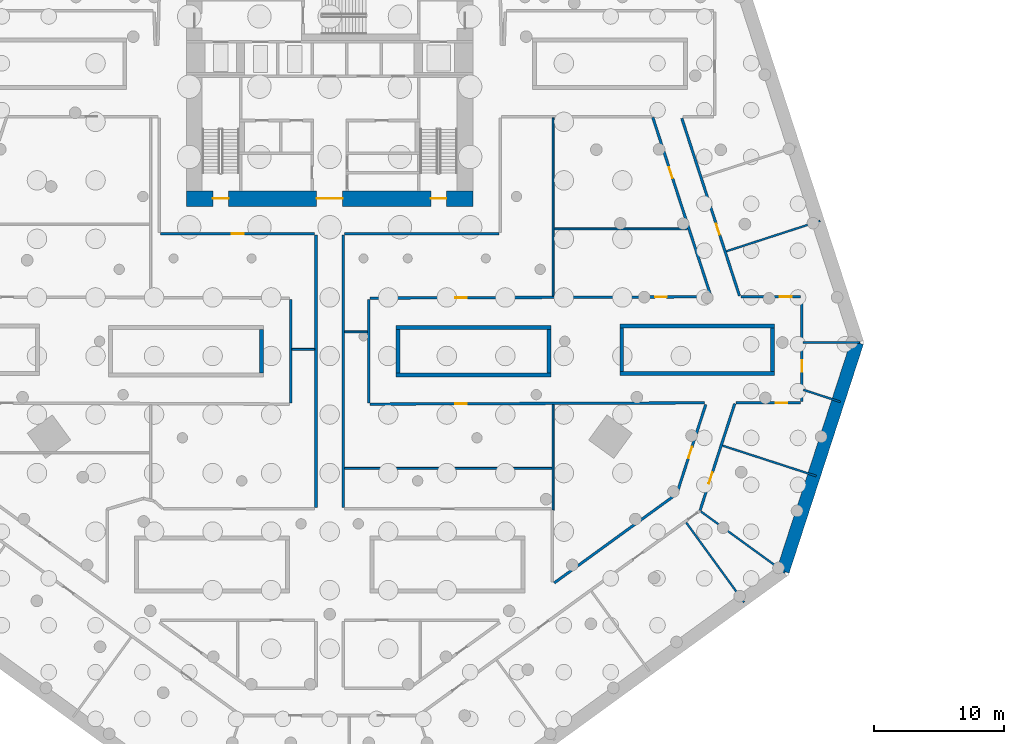
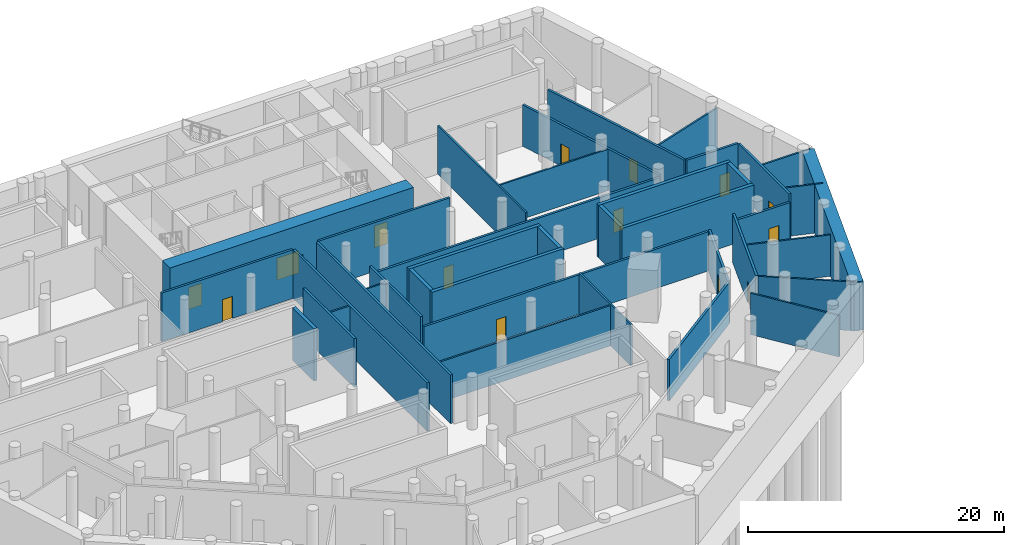
# One storey, part 7 of 12: 39 walls, 14 doors, 14 openings.
"""IFC4 building model written with IfcOpenShell, lengths in metres."""

from ifc_helpers import new_model, si_unit, direction, frame, frame_2d, origin, place, context, subcontext, project, spatial, rectangle, extrude, material, layer, layer_set, type_object, element, fill, save


model = new_model("IFC4")

# Units and contexts
model_context = context("Model", 3, precision=1e-05, world=origin(), true_north=direction((0.0, 1.0)))
body_context = subcontext(model_context, "Body", "Model", "MODEL_VIEW")
ifc_project = project(units=[si_unit("LENGTHUNIT", "METRE"), si_unit("AREAUNIT", "SQUARE_METRE"), si_unit("VOLUMEUNIT", "CUBIC_METRE"), si_unit("PLANEANGLEUNIT", "RADIAN"), si_unit("MASSUNIT", "GRAM", prefix="KILO")], contexts=[model_context])

# Site, building, storey
site_placement = place(None, origin())
site = spatial("IfcSite", under=ifc_project, at=site_placement, CompositionType="ELEMENT")
building_placement = place(site_placement, origin())
building = spatial("IfcBuilding", under=site, at=building_placement, Name="White Candle Pilgrim Tower", CompositionType="ELEMENT")
storey_placement = place(building_placement, frame((0.0, 0.0, -10.0)))
storey = spatial("IfcBuildingStorey", under=building, at=storey_placement, Name="B2", CompositionType="ELEMENT", Elevation=-10.0)

# Wall, opening, door
ifc_material_1 = material(Name="Gypsum board on steel studs", Category="steel")
ifc_layer_1 = layer(ifc_material_1, 0.199951171875)
ifc_layer_set_1 = layer_set([ifc_layer_1], Name="Corridor wall 200 mm EI 45")
wall_type_1 = type_object("IfcWallType", Name="Corridor wall 200 mm EI 45", PredefinedType="PARTITIONING", material=ifc_layer_set_1)
wall_1_placement = place(storey_placement, frame((97.070068359375, 77.76904296875, 0.0), z_axis=(0.0, 0.0, 1.0), x_axis=(0.309012990643, -0.951057817177, 0.0)))
wall_1 = element("IfcWall", 1, at=wall_1_placement, inside=storey, type_object=wall_type_1, Name="WL-B2-P016", PredefinedType="PARTITIONING", context=body_context, shape_type="SweptSolid", body=[
    extrude(rectangle(XDim=14.352294921875, YDim=0.199951171875, at=frame_2d((7.17626953125, 0.0))), origin(), (0.0, 0.0, 1.0), 4.64990234375),
])
opening_1_placement = place(wall_1_placement, frame((8.511474609375, 0.0, 0.0)))
opening_1 = element("IfcOpeningElement", 2, at=opening_1_placement, cuts=wall_1, Name="Opening B2-120", PredefinedType="OPENING", context=body_context, shape_type="SweptSolid", body=[
    extrude(rectangle(XDim=0.89990234375, YDim=2.10009765625, at=frame_2d((0.449951171875, 1.050048828125))), frame((0.0, 0.10986328125, 0.0), z_axis=(0.0, -1.0, 0.0), x_axis=(1.0, 0.0, 0.0)), (0.0, 0.0, 1.0), 0.219970703125),
])
ifc_material_2 = material(Name="Steel door leaf", Category="steel")
door_type_1 = type_object("IfcDoorType", Name="Fire door 900 x 2100 EI 30", OperationType="NOTDEFINED", PredefinedType="DOOR", material=ifc_material_2)
door_1_placement = place(opening_1_placement, origin())
door_1 = element("IfcDoor", 3, at=door_1_placement, inside=storey, type_object=door_type_1, Name="Door B2-120", OperationType="SINGLE_SWING_RIGHT", OverallHeight=2.10009765625, OverallWidth=0.89990234375, PredefinedType="DOOR", context=body_context, shape_type="SweptSolid", body=[
    extrude(rectangle(XDim=0.89990234375, YDim=2.10009765625, at=frame_2d((0.449951171875, 1.050048828125))), frame((0.0, 0.02490234375, 0.0), z_axis=(0.0, -1.0, 0.0), x_axis=(1.0, 0.0, 0.0)), (0.0, 0.0, 1.0), 0.050048828125),
])
fill(opening_1, door_1)

wall_2_placement = place(storey_placement, frame((101.600341796875, 64.050048828125, 0.0), z_axis=(0.0, 0.0, 1.0), x_axis=(1.0, 0.0, 0.0)))
wall_2 = element("IfcWall", 4, at=wall_2_placement, inside=storey, type_object=wall_type_1, Name="WL-B2-P017", PredefinedType="PARTITIONING", context=body_context, shape_type="SweptSolid", body=[
    extrude(rectangle(XDim=4.599609375, YDim=0.199951171875, at=frame_2d((2.2998046875, 0.0))), origin(), (0.0, 0.0, 1.0), 4.64990234375),
])
opening_2_placement = place(wall_2_placement, frame((3.013427734375, 0.0, 0.0)))
opening_2 = element("IfcOpeningElement", 5, at=opening_2_placement, cuts=wall_2, Name="Opening B2-119", PredefinedType="OPENING", context=body_context, shape_type="SweptSolid", body=[
    extrude(rectangle(XDim=0.89990234375, YDim=2.10009765625, at=frame_2d((0.449951171875, 1.050048828125))), frame((0.0, 0.10986328125, 0.0), z_axis=(0.0, -1.0, 0.0), x_axis=(1.0, 0.0, 0.0)), (0.0, 0.0, 1.0), 0.219970703125),
])
door_2_placement = place(opening_2_placement, origin())
door_2 = element("IfcDoor", 6, at=door_2_placement, inside=storey, type_object=door_type_1, Name="Door B2-119", OperationType="SINGLE_SWING_LEFT", OverallHeight=2.10009765625, OverallWidth=0.89990234375, PredefinedType="DOOR", context=body_context, shape_type="SweptSolid", body=[
    extrude(rectangle(XDim=0.89990234375, YDim=2.10009765625, at=frame_2d((0.449951171875, 1.050048828125))), frame((0.0, 0.02490234375, 0.0), z_axis=(0.0, -1.0, 0.0), x_axis=(1.0, 0.0, 0.0)), (0.0, 0.0, 1.0), 0.050048828125),
])
fill(opening_2, door_2)

wall_3_placement = place(storey_placement, frame((106.300048828125, 63.949951171875, 0.0), z_axis=(0.0, 0.0, 1.0), x_axis=(0.0, -1.0, 0.0)))
wall_3 = element("IfcWall", 7, at=wall_3_placement, inside=storey, type_object=wall_type_1, Name="WL-B2-P018", PredefinedType="PARTITIONING", context=body_context, shape_type="SweptSolid", body=[
    extrude(rectangle(XDim=7.949951171875, YDim=0.199951171875, at=frame_2d((3.97509765625, 0.0))), origin(), (0.0, 0.0, 1.0), 4.64990234375),
])
opening_3_placement = place(wall_3_placement, frame((4.761962890625, 0.0, 0.0)))
opening_3 = element("IfcOpeningElement", 8, at=opening_3_placement, cuts=wall_3, Name="Opening B2-118", PredefinedType="OPENING", context=body_context, shape_type="SweptSolid", body=[
    extrude(rectangle(XDim=0.89990234375, YDim=2.10009765625, at=frame_2d((0.449951171875, 1.050048828125))), frame((0.0, 0.10986328125, 0.0), z_axis=(0.0, -1.0, 0.0), x_axis=(1.0, 0.0, 0.0)), (0.0, 0.0, 1.0), 0.219970703125),
])
door_3_placement = place(opening_3_placement, origin())
door_3 = element("IfcDoor", 9, at=door_3_placement, inside=storey, type_object=door_type_1, Name="Door B2-118", OperationType="SINGLE_SWING_RIGHT", OverallHeight=2.10009765625, OverallWidth=0.89990234375, PredefinedType="DOOR", context=body_context, shape_type="SweptSolid", body=[
    extrude(rectangle(XDim=0.89990234375, YDim=2.10009765625, at=frame_2d((0.449951171875, 1.050048828125))), frame((0.0, 0.02490234375, 0.0), z_axis=(0.0, -1.0, 0.0), x_axis=(1.0, 0.0, 0.0)), (0.0, 0.0, 1.0), 0.050048828125),
])
fill(opening_3, door_3)

wall_4_placement = place(storey_placement, frame((106.199951171875, 55.89990234375, 0.0), z_axis=(0.0, 0.0, 1.0), x_axis=(-1.0, 0.0, 0.0)))
wall_4 = element("IfcWall", 10, at=wall_4_placement, inside=storey, type_object=wall_type_1, Name="WL-B2-P019", PredefinedType="PARTITIONING", context=body_context, shape_type="SweptSolid", body=[
    extrude(rectangle(XDim=4.96630859375, YDim=0.199951171875, at=frame_2d((2.483154296875, 0.0))), origin(), (0.0, 0.0, 1.0), 3.949951171875),
])
opening_4_placement = place(wall_4_placement, frame((1.01953125, 0.0, 0.0)))
opening_4 = element("IfcOpeningElement", 11, at=opening_4_placement, cuts=wall_4, Name="Opening B2-117", PredefinedType="OPENING", context=body_context, shape_type="SweptSolid", body=[
    extrude(rectangle(XDim=0.89990234375, YDim=2.10009765625, at=frame_2d((0.449951171875, 1.050048828125))), frame((0.0, 0.10986328125, 0.0), z_axis=(0.0, -1.0, 0.0), x_axis=(1.0, 0.0, 0.0)), (0.0, 0.0, 1.0), 0.219970703125),
])
door_4_placement = place(opening_4_placement, origin())
door_4 = element("IfcDoor", 12, at=door_4_placement, inside=storey, type_object=door_type_1, Name="Door B2-117", OperationType="SINGLE_SWING_LEFT", OverallHeight=2.10009765625, OverallWidth=0.89990234375, PredefinedType="DOOR", context=body_context, shape_type="SweptSolid", body=[
    extrude(rectangle(XDim=0.89990234375, YDim=2.10009765625, at=frame_2d((0.449951171875, 1.050048828125))), frame((0.0, 0.02490234375, 0.0), z_axis=(0.0, -1.0, 0.0), x_axis=(1.0, 0.0, 0.0)), (0.0, 0.0, 1.0), 0.050048828125),
])
fill(opening_4, door_4)

wall_5_placement = place(storey_placement, frame((101.138671875, 55.830810546875, 0.0), z_axis=(0.0, 0.0, 1.0), x_axis=(-0.309050865735, -0.951045510156, 0.0)))
wall_5 = element("IfcWall", 13, at=wall_5_placement, inside=storey, type_object=wall_type_1, Name="WL-B2-P020", PredefinedType="PARTITIONING", context=body_context, shape_type="SweptSolid", body=[
    extrude(rectangle(XDim=8.6240234375, YDim=0.199951171875, at=frame_2d((4.31201171875, 0.0))), origin(), (0.0, 0.0, 1.0), 4.64990234375),
])
opening_5_placement = place(wall_5_placement, frame((5.554931640625, 0.0, 0.0)))
opening_5 = element("IfcOpeningElement", 14, at=opening_5_placement, cuts=wall_5, Name="Opening B2-116", PredefinedType="OPENING", context=body_context, shape_type="SweptSolid", body=[
    extrude(rectangle(XDim=0.89990234375, YDim=2.10009765625, at=frame_2d((0.449951171875, 1.050048828125))), frame((0.0, 0.10986328125, 0.0), z_axis=(0.0, -1.0, 0.0), x_axis=(1.0, 0.0, 0.0)), (0.0, 0.0, 1.0), 0.219970703125),
])
door_5_placement = place(opening_5_placement, origin())
door_5 = element("IfcDoor", 15, at=door_5_placement, inside=storey, type_object=door_type_1, Name="Door B2-116", OperationType="SINGLE_SWING_RIGHT", OverallHeight=2.10009765625, OverallWidth=0.89990234375, PredefinedType="DOOR", context=body_context, shape_type="SweptSolid", body=[
    extrude(rectangle(XDim=0.89990234375, YDim=2.10009765625, at=frame_2d((0.449951171875, 1.050048828125))), frame((0.0, 0.02490234375, 0.0), z_axis=(0.0, -1.0, 0.0), x_axis=(1.0, 0.0, 0.0)), (0.0, 0.0, 1.0), 0.050048828125),
])
fill(opening_5, door_5)

wall_6_placement = place(storey_placement, frame((96.687255859375, 48.9267578125, 0.0), z_axis=(0.0, 0.0, 1.0), x_axis=(0.309000124439, 0.951061997504, 0.0)))
wall_6 = element("IfcWall", 16, at=wall_6_placement, inside=storey, type_object=wall_type_1, Name="WL-B2-P024", PredefinedType="PARTITIONING", context=body_context, shape_type="SweptSolid", body=[
    extrude(rectangle(XDim=7.19384765625, YDim=0.199951171875, at=frame_2d((3.596923828125, 0.0))), origin(), (0.0, 0.0, 1.0), 3.949951171875),
])
opening_6_placement = place(wall_6_placement, frame((2.8720703125, 0.0, 0.0)))
opening_6 = element("IfcOpeningElement", 17, at=opening_6_placement, cuts=wall_6, Name="Opening B2-136", PredefinedType="OPENING", context=body_context, shape_type="SweptSolid", body=[
    extrude(rectangle(XDim=0.89990234375, YDim=2.10009765625, at=frame_2d((0.449951171875, 1.050048828125))), frame((0.0, 0.10986328125, 0.0), z_axis=(0.0, -1.0, 0.0), x_axis=(1.0, 0.0, 0.0)), (0.0, 0.0, 1.0), 0.219970703125),
])
door_6_placement = place(opening_6_placement, origin())
door_6 = element("IfcDoor", 18, at=door_6_placement, inside=storey, type_object=door_type_1, Name="Door B2-136", OperationType="SINGLE_SWING_RIGHT", OverallHeight=2.10009765625, OverallWidth=0.89990234375, PredefinedType="DOOR", context=body_context, shape_type="SweptSolid", body=[
    extrude(rectangle(XDim=0.89990234375, YDim=2.10009765625, at=frame_2d((0.449951171875, 1.050048828125))), frame((0.0, 0.02490234375, 0.0), z_axis=(0.0, -1.0, 0.0), x_axis=(1.0, 0.0, 0.0)), (0.0, 0.0, 1.0), 0.050048828125),
])
fill(opening_6, door_6)

wall_7_placement = place(storey_placement, frame((98.814697265625, 55.8994140625, 0.0), z_axis=(0.0, 0.0, 1.0), x_axis=(-0.999992570732, -0.003854670107, 0.0)))
wall_7 = element("IfcWall", 19, at=wall_7_placement, inside=storey, type_object=wall_type_1, Name="WL-B2-P025", PredefinedType="PARTITIONING", context=body_context, shape_type="SweptSolid", body=[
    extrude(rectangle(XDim=25.714599609375, YDim=0.199951171875, at=frame_2d((12.857421875, 0.0))), origin(), (0.0, 0.0, 1.0), 3.75),
])
opening_7_placement = place(wall_7_placement, frame((18.27783203125, 0.0, 0.0)))
opening_7 = element("IfcOpeningElement", 20, at=opening_7_placement, cuts=wall_7, Name="Opening B2-128", PredefinedType="OPENING", context=body_context, shape_type="SweptSolid", body=[
    extrude(rectangle(XDim=0.89990234375, YDim=2.10009765625, at=frame_2d((0.449951171875, 1.050048828125))), frame((0.0, 0.10986328125, 0.0), z_axis=(0.0, -1.0, 0.0), x_axis=(1.0, 0.0, 0.0)), (0.0, 0.0, 1.0), 0.219970703125),
])
door_7_placement = place(opening_7_placement, origin())
door_7 = element("IfcDoor", 21, at=door_7_placement, inside=storey, type_object=door_type_1, Name="Door B2-128", OperationType="SINGLE_SWING_RIGHT", OverallHeight=2.10009765625, OverallWidth=0.89990234375, PredefinedType="DOOR", context=body_context, shape_type="SweptSolid", body=[
    extrude(rectangle(XDim=0.89990234375, YDim=2.10009765625, at=frame_2d((0.449951171875, 1.050048828125))), frame((0.0, 0.02490234375, 0.0), z_axis=(0.0, -1.0, 0.0), x_axis=(1.0, 0.0, 0.0)), (0.0, 0.0, 1.0), 0.050048828125),
])
fill(opening_7, door_7)

# Wall
wall_8_placement = place(storey_placement, frame((73.0, 55.900390625, 0.0), z_axis=(0.0, 0.0, 1.0), x_axis=(0.0, 1.0, 0.0)))
element("IfcWall", 22, at=wall_8_placement, inside=storey, type_object=wall_type_1, Name="WL-B2-P026", PredefinedType="PARTITIONING", context=body_context, shape_type="SweptSolid", body=[
    extrude(rectangle(XDim=7.949951171875, YDim=0.199951171875, at=frame_2d((3.97509765625, 0.0))), origin(), (0.0, 0.0, 1.0), 4.64990234375),
])

# Wall, openings, doors
wall_9_placement = place(storey_placement, frame((73.099609375, 63.950439453125, 0.0), z_axis=(0.0, 0.0, 1.0), x_axis=(0.999992779253, 0.003800189715, 0.0)))
wall_9 = element("IfcWall", 23, at=wall_9_placement, inside=storey, type_object=wall_type_1, Name="WL-B2-P027", PredefinedType="PARTITIONING", context=body_context, shape_type="SweptSolid", body=[
    extrude(rectangle(XDim=26.083251953125, YDim=0.199951171875, at=frame_2d((13.04150390625, 0.0))), origin(), (0.0, 0.0, 1.0), 3.85009765625),
])
opening_8_placement = place(wall_9_placement, frame((6.53759765625, 0.0, 0.0)))
opening_8 = element("IfcOpeningElement", 24, at=opening_8_placement, cuts=wall_9, Name="Opening B2-129", PredefinedType="OPENING", context=body_context, shape_type="SweptSolid", body=[
    extrude(rectangle(XDim=0.89990234375, YDim=2.10009765625, at=frame_2d((0.449951171875, 1.050048828125))), frame((0.0, 0.10986328125, 0.0), z_axis=(0.0, -1.0, 0.0), x_axis=(1.0, 0.0, 0.0)), (0.0, 0.0, 1.0), 0.219970703125),
])
opening_9_placement = place(wall_9_placement, frame((21.910400390625, 0.0, 0.0)))
opening_9 = element("IfcOpeningElement", 25, at=opening_9_placement, cuts=wall_9, Name="Opening B2-130", PredefinedType="OPENING", context=body_context, shape_type="SweptSolid", body=[
    extrude(rectangle(XDim=0.89990234375, YDim=2.10009765625, at=frame_2d((0.449951171875, 1.050048828125))), frame((0.0, 0.10986328125, 0.0), z_axis=(0.0, -1.0, 0.0), x_axis=(1.0, 0.0, 0.0)), (0.0, 0.0, 1.0), 0.219970703125),
])
door_8_placement = place(opening_8_placement, origin())
door_8 = element("IfcDoor", 26, at=door_8_placement, inside=storey, type_object=door_type_1, Name="Door B2-129", OperationType="SINGLE_SWING_LEFT", OverallHeight=2.10009765625, OverallWidth=0.89990234375, PredefinedType="DOOR", context=body_context, shape_type="SweptSolid", body=[
    extrude(rectangle(XDim=0.89990234375, YDim=2.10009765625, at=frame_2d((0.449951171875, 1.050048828125))), frame((0.0, 0.02490234375, 0.0), z_axis=(0.0, -1.0, 0.0), x_axis=(1.0, 0.0, 0.0)), (0.0, 0.0, 1.0), 0.050048828125),
])
fill(opening_8, door_8)
door_9_placement = place(opening_9_placement, origin())
door_9 = element("IfcDoor", 27, at=door_9_placement, inside=storey, type_object=door_type_1, Name="Door B2-130", OperationType="SINGLE_SWING_RIGHT", OverallHeight=2.10009765625, OverallWidth=0.89990234375, PredefinedType="DOOR", context=body_context, shape_type="SweptSolid", body=[
    extrude(rectangle(XDim=0.89990234375, YDim=2.10009765625, at=frame_2d((0.449951171875, 1.050048828125))), frame((0.0, 0.02490234375, 0.0), z_axis=(0.0, -1.0, 0.0), x_axis=(1.0, 0.0, 0.0)), (0.0, 0.0, 1.0), 0.050048828125),
])
fill(opening_9, door_9)

# Wall, opening, door
wall_10_placement = place(storey_placement, frame((99.277099609375, 64.180419921875, 0.0), z_axis=(0.0, 0.0, 1.0), x_axis=(-0.309018378218, 0.951056066656, 0.0)))
wall_10 = element("IfcWall", 28, at=wall_10_placement, inside=storey, type_object=wall_type_1, Name="WL-B2-P028", PredefinedType="PARTITIONING", context=body_context, shape_type="SweptSolid", body=[
    extrude(rectangle(XDim=14.352783203125, YDim=0.199951171875, at=frame_2d((7.17626953125, 0.0))), origin(), (0.0, 0.0, 1.0), 3.949951171875),
])
opening_10_placement = place(wall_10_placement, frame((9.4404296875, 0.0, 0.0)))
opening_10 = element("IfcOpeningElement", 29, at=opening_10_placement, cuts=wall_10, Name="Opening B2-131", PredefinedType="OPENING", context=body_context, shape_type="SweptSolid", body=[
    extrude(rectangle(XDim=0.89990234375, YDim=2.10009765625, at=frame_2d((0.449951171875, 1.050048828125))), frame((0.0, 0.10986328125, 0.0), z_axis=(0.0, -1.0, 0.0), x_axis=(1.0, 0.0, 0.0)), (0.0, 0.0, 1.0), 0.219970703125),
])
door_10_placement = place(opening_10_placement, origin())
door_10 = element("IfcDoor", 30, at=door_10_placement, inside=storey, type_object=door_type_1, Name="Door B2-131", OperationType="SINGLE_SWING_LEFT", OverallHeight=2.10009765625, OverallWidth=0.89990234375, PredefinedType="DOOR", context=body_context, shape_type="SweptSolid", body=[
    extrude(rectangle(XDim=0.89990234375, YDim=2.10009765625, at=frame_2d((0.449951171875, 1.050048828125))), frame((0.0, 0.02490234375, 0.0), z_axis=(0.0, -1.0, 0.0), x_axis=(1.0, 0.0, 0.0)), (0.0, 0.0, 1.0), 0.050048828125),
])
fill(opening_10, door_10)

# Walls
wall_11_placement = place(storey_placement, frame((83.0, 68.89990234375, 0.0), z_axis=(0.0, 0.0, 1.0), x_axis=(-1.0, 0.0, 0.0)))
element("IfcWall", 31, at=wall_11_placement, inside=storey, type_object=wall_type_1, Name="WL-B2-P031", PredefinedType="PARTITIONING", context=body_context, shape_type="SweptSolid", body=[
    extrude(rectangle(XDim=11.85009765625, YDim=0.199951171875, at=frame_2d((5.925048828125, 0.0))), origin(), (0.0, 0.0, 1.0), 4.64990234375),
])
wall_12_placement = place(storey_placement, frame((71.050048828125, 68.800048828125, 0.0), z_axis=(0.0, 0.0, 1.0), x_axis=(0.0, -1.0, 0.0)))
element("IfcWall", 32, at=wall_12_placement, inside=storey, type_object=wall_type_1, Name="WL-B2-P032", PredefinedType="PARTITIONING", context=body_context, shape_type="SweptSolid", body=[
    extrude(rectangle(XDim=20.949951171875, YDim=0.199951171875, at=frame_2d((10.47509765625, 0.0))), origin(), (0.0, 0.0, 1.0), 4.64990234375),
])
wall_13_placement = place(storey_placement, frame((87.2587890625, 42.052978515625, 0.0), z_axis=(0.0, 0.0, 1.0), x_axis=(0.809017904923, 0.587783999028, 0.0)))
element("IfcWall", 33, at=wall_13_placement, inside=storey, type_object=wall_type_1, Name="WL-B2-P035", PredefinedType="PARTITIONING", context=body_context, shape_type="SweptSolid", body=[
    extrude(rectangle(XDim=11.609130859375, YDim=0.199951171875, at=frame_2d((5.8046875, 0.0))), origin(), (0.0, 0.0, 1.0), 3.949951171875),
])
wall_14_placement = place(storey_placement, frame((67.0, 63.850341796875, 0.0), z_axis=(0.0, 0.0, 1.0), x_axis=(0.0, -1.0, 0.0)))
element("IfcWall", 34, at=wall_14_placement, inside=storey, type_object=wall_type_1, Name="WL-B2-P040", PredefinedType="PARTITIONING", context=body_context, shape_type="SweptSolid", body=[
    extrude(rectangle(XDim=7.949951171875, YDim=0.199951171875, at=frame_2d((3.97509765625, 0.0))), origin(), (0.0, 0.0, 1.0), 4.64990234375),
])
wall_15_placement = place(storey_placement, frame((68.949951171875, 47.85009765625, 0.0), z_axis=(0.0, 0.0, 1.0), x_axis=(0.0, 1.0, 0.0)))
element("IfcWall", 35, at=wall_15_placement, inside=storey, type_object=wall_type_1, Name="WL-B2-P049", PredefinedType="PARTITIONING", context=body_context, shape_type="SweptSolid", body=[
    extrude(rectangle(XDim=20.949951171875, YDim=0.199951171875, at=frame_2d((10.47509765625, 0.0))), origin(), (0.0, 0.0, 1.0), 4.64990234375),
])

# Wall, opening, door
wall_16_placement = place(storey_placement, frame((68.85009765625, 68.89990234375, 0.0), z_axis=(0.0, 0.0, 1.0), x_axis=(-1.0, 0.0, 0.0)))
wall_16 = element("IfcWall", 36, at=wall_16_placement, inside=storey, type_object=wall_type_1, Name="WL-B2-P050", PredefinedType="PARTITIONING", context=body_context, shape_type="SweptSolid", body=[
    extrude(rectangle(XDim=11.85009765625, YDim=0.199951171875, at=frame_2d((5.925048828125, 0.0))), origin(), (0.0, 0.0, 1.0), 4.64990234375),
])
opening_11_placement = place(wall_16_placement, frame((5.47509765625, 0.0, 0.0)))
opening_11 = element("IfcOpeningElement", 37, at=opening_11_placement, cuts=wall_16, Name="Opening B2-127", PredefinedType="OPENING", context=body_context, shape_type="SweptSolid", body=[
    extrude(rectangle(XDim=0.89990234375, YDim=2.10009765625, at=frame_2d((0.449951171875, 1.050048828125))), frame((0.0, 0.10986328125, 0.0), z_axis=(0.0, -1.0, 0.0), x_axis=(1.0, 0.0, 0.0)), (0.0, 0.0, 1.0), 0.219970703125),
])
door_11_placement = place(opening_11_placement, origin())
door_11 = element("IfcDoor", 38, at=door_11_placement, inside=storey, type_object=door_type_1, Name="Door B2-127", OperationType="SINGLE_SWING_LEFT", OverallHeight=2.10009765625, OverallWidth=0.89990234375, PredefinedType="DOOR", context=body_context, shape_type="SweptSolid", body=[
    extrude(rectangle(XDim=0.89990234375, YDim=2.10009765625, at=frame_2d((0.449951171875, 1.050048828125))), frame((0.0, 0.02490234375, 0.0), z_axis=(0.0, -1.0, 0.0), x_axis=(1.0, 0.0, 0.0)), (0.0, 0.0, 1.0), 0.050048828125),
])
fill(opening_11, door_11)

# Walls
ifc_material_3 = material(Name="Concrete C40/50", Category="concrete")
ifc_layer_2 = layer(ifc_material_3, 1.0)
ifc_layer_set_2 = layer_set([ifc_layer_2], Name="Diaphragm wall 1000")
wall_type_2 = type_object("IfcWallType", Name="Diaphragm wall 1000", PredefinedType="SOLIDWALL", material=ifc_layer_set_2)
wall_17_placement = place(storey_placement, frame((110.55419921875, 60.539306640625, 0.0), z_axis=(0.0, 0.0, 1.0), x_axis=(-0.309001835939, -0.951061441436, 0.0)))
element("IfcWall", 39, at=wall_17_placement, inside=storey, type_object=wall_type_2, Name="Diaphragm wall B2-01", PredefinedType="SOLIDWALL", context=body_context, shape_type="SweptSolid", body=[
    extrude(rectangle(XDim=18.481201171875, YDim=1.0, at=frame_2d((9.24072265625, 0.0))), origin(), (0.0, 0.0, 1.0), 4.64990234375),
])
ifc_layer_3 = layer(ifc_material_1, 0.14990234375)
ifc_layer_set_3 = layer_set([ifc_layer_3], Name="Partition 150 mm EI 60")
wall_type_3 = type_object("IfcWallType", Name="Partition 150 mm EI 60", PredefinedType="PARTITIONING", material=ifc_layer_set_3)
wall_18_placement = place(storey_placement, frame((104.99658203125, 42.851318359375, 0.0), z_axis=(0.0, 0.0, 1.0), x_axis=(-0.809022705267, 0.587777391843, 0.0)))
element("IfcWall", 40, at=wall_18_placement, inside=storey, type_object=wall_type_3, Name="WL-B2-P063", PredefinedType="PARTITIONING", context=body_context, shape_type="SweptSolid", body=[
    extrude(rectangle(XDim=7.990234375, YDim=0.14990234375, at=frame_2d((3.9951171875, 0.0))), origin(), (0.0, 0.0, 1.0), 4.64990234375),
])
wall_19_placement = place(storey_placement, frame((110.74365234375, 60.539306640625, 0.0), z_axis=(0.0, 0.0, 1.0), x_axis=(-1.0, 0.0, 0.0)))
element("IfcWall", 41, at=wall_19_placement, inside=storey, type_object=wall_type_3, Name="WL-B2-P064", PredefinedType="PARTITIONING", context=body_context, shape_type="SweptSolid", body=[
    extrude(rectangle(XDim=4.34375, YDim=0.14990234375, at=frame_2d((2.171875, 0.0))), origin(), (0.0, 0.0, 1.0), 4.64990234375),
])
for number, where, z_axis, x_axis, name in (
    (42, (101.85595703125, 40.569580078125, 0.0), (0.0, 0.0, 1.0), (-0.587800109381, 0.80900619986, 0.0), "WL-B2-P074"),
    (43, (107.406494140625, 50.268798828125, 0.0), (0.0, 0.0, 1.0), (-0.951058681979, 0.309010329007, 0.0), "WL-B2-P075"),
):
    element("IfcWall", number, at=place(storey_placement, frame(where, z_axis=z_axis, x_axis=x_axis)), inside=storey, type_object=wall_type_3, Name=name, PredefinedType="PARTITIONING", context=body_context, shape_type="SweptSolid", body=[
        extrude(rectangle(XDim=7.580078125, YDim=0.14990234375, at=frame_2d((3.7900390625, 0.0))), origin(), (0.0, 0.0, 1.0), 3.949951171875),
    ])
wall_20_placement = place(storey_placement, frame((109.260498046875, 55.97509765625, 0.0), z_axis=(0.0, 0.0, 1.0), x_axis=(-0.951061728044, 0.309000953802, 0.0)))
element("IfcWall", 44, at=wall_20_placement, inside=storey, type_object=wall_type_3, Name="WL-B2-P076", PredefinedType="PARTITIONING", context=body_context, shape_type="SweptSolid", body=[
    extrude(rectangle(XDim=2.9833984375, YDim=0.14990234375, at=frame_2d((1.49169921875, 0.0))), origin(), (0.0, 0.0, 1.0), 4.64990234375),
])
wall_21_placement = place(storey_placement, frame((107.705078125, 69.890869140625, 0.0), z_axis=(0.0, 0.0, 1.0), x_axis=(-0.951058681979, -0.309010329007, 0.0)))
element("IfcWall", 45, at=wall_21_placement, inside=storey, type_object=wall_type_3, Name="WL-B2-P077", PredefinedType="PARTITIONING", context=body_context, shape_type="SweptSolid", body=[
    extrude(rectangle(XDim=7.580078125, YDim=0.14990234375, at=frame_2d((3.7900390625, 0.0))), origin(), (0.0, 0.0, 1.0), 3.949951171875),
])
wall_22_placement = place(storey_placement, frame((67.10009765625, 60.016357421875, 0.0), z_axis=(0.0, 0.0, 1.0), x_axis=(1.0, 0.0, 0.0)))
element("IfcWall", 46, at=wall_22_placement, inside=storey, type_object=wall_type_3, Name="WL-B2-P082", PredefinedType="PARTITIONING", context=body_context, shape_type="SweptSolid", body=[
    extrude(rectangle(XDim=1.75, YDim=0.14990234375, at=frame_2d((0.875, 0.0))), origin(), (0.0, 0.0, 1.0), 4.64990234375),
])
wall_23_placement = place(storey_placement, frame((87.173828125, 47.64990234375, 0.0), z_axis=(0.0, 0.0, 1.0), x_axis=(0.0, 1.0, 0.0)))
element("IfcWall", 47, at=wall_23_placement, inside=storey, type_object=wall_type_3, Name="WL-B2-P084", PredefinedType="PARTITIONING", context=body_context, shape_type="SweptSolid", body=[
    extrude(rectangle(XDim=8.1044921875, YDim=0.14990234375, at=frame_2d((4.05224609375, 0.0))), origin(), (0.0, 0.0, 1.0), 3.949951171875),
])
wall_24_placement = place(storey_placement, frame((87.173828125, 64.10400390625, 0.0), z_axis=(0.0, 0.0, 1.0), x_axis=(0.0, 1.0, 0.0)))
element("IfcWall", 48, at=wall_24_placement, inside=storey, type_object=wall_type_3, Name="WL-B2-P085", PredefinedType="PARTITIONING", context=body_context, shape_type="SweptSolid", body=[
    extrude(rectangle(XDim=13.696044921875, YDim=0.14990234375, at=frame_2d((6.84814453125, 0.0))), origin(), (0.0, 0.0, 1.0), 4.64990234375),
])
wall_25_placement = place(storey_placement, frame((71.14990234375, 50.85986328125, 0.0), z_axis=(0.0, 0.0, 1.0), x_axis=(1.0, 0.0, 0.0)))
element("IfcWall", 49, at=wall_25_placement, inside=storey, type_object=wall_type_3, Name="WL-B2-P086", PredefinedType="PARTITIONING", context=body_context, shape_type="SweptSolid", body=[
    extrude(rectangle(XDim=15.948974609375, YDim=0.14990234375, at=frame_2d((7.974609375, 0.0))), origin(), (0.0, 0.0, 1.0), 3.85009765625),
])
wall_26_placement = place(storey_placement, frame((71.14990234375, 61.348876953125, 0.0), z_axis=(0.0, 0.0, 1.0), x_axis=(1.0, 0.0, 0.0)))
element("IfcWall", 50, at=wall_26_placement, inside=storey, type_object=wall_type_3, Name="WL-B2-P087", PredefinedType="PARTITIONING", context=body_context, shape_type="SweptSolid", body=[
    extrude(rectangle(XDim=1.75, YDim=0.14990234375, at=frame_2d((0.875, 0.0))), origin(), (0.0, 0.0, 1.0), 4.64990234375),
])
wall_27_placement = place(storey_placement, frame((87.248779296875, 69.273681640625, 0.0), z_axis=(0.0, 0.0, 1.0), x_axis=(1.0, 0.0, 0.0)))
element("IfcWall", 51, at=wall_27_placement, inside=storey, type_object=wall_type_3, Name="WL-B2-P088", PredefinedType="PARTITIONING", context=body_context, shape_type="SweptSolid", body=[
    extrude(rectangle(XDim=10.244140625, YDim=0.14990234375, at=frame_2d((5.1220703125, 0.0))), origin(), (0.0, 0.0, 1.0), 3.949951171875),
])
ifc_material_4 = material(Name="Concrete C60/75", Category="concrete")
ifc_layer_4 = layer(ifc_material_4, 0.300048828125)
ifc_layer_set_4 = layer_set([ifc_layer_4], Name="Shaft wall 300 mm Concrete C60/75")
wall_type_4 = type_object("IfcWallType", Name="Shaft wall 300 mm Concrete C60/75", PredefinedType="SHEAR", material=ifc_layer_set_4)
wall_28_placement = place(storey_placement, frame((64.75, 58.199951171875, 0.0), z_axis=(0.0, 0.0, 1.0), x_axis=(0.0, 1.0, 0.0)))
element("IfcWall", 52, at=wall_28_placement, inside=storey, type_object=wall_type_4, Name="WL-B2-PB5E", PredefinedType="SHEAR", context=body_context, shape_type="SweptSolid", body=[
    extrude(rectangle(XDim=3.35009765625, YDim=0.300048828125, at=frame_2d((1.675048828125, 0.0))), origin(), (0.0, 0.0, 1.0), 5.0),
])
for number, where, z_axis, x_axis, name in (
    (53, (75.10009765625, 58.050048828125, 0.0), (0.0, 0.0, 1.0), (1.0, 0.0, 0.0), "WL-B2-PB4S"),
    (54, (75.10009765625, 61.699951171875, 0.0), (0.0, 0.0, 1.0), (1.0, 0.0, 0.0), "WL-B2-PB4N"),
):
    element("IfcWall", number, at=place(storey_placement, frame(where, z_axis=z_axis, x_axis=x_axis)), inside=storey, type_object=wall_type_4, Name=name, PredefinedType="SHEAR", context=body_context, shape_type="SweptSolid", body=[
        extrude(rectangle(XDim=11.89990234375, YDim=0.300048828125, at=frame_2d((5.949951171875, 0.0))), origin(), (0.0, 0.0, 1.0), 5.0),
    ])
for number, where, z_axis, x_axis, name in (
    (55, (75.25, 58.199951171875, 0.0), (0.0, 0.0, 1.0), (0.0, 1.0, 0.0), "WL-B2-PB4W"),
    (56, (86.85009765625, 58.199951171875, 0.0), (0.0, 0.0, 1.0), (0.0, 1.0, 0.0), "WL-B2-PB4E"),
):
    element("IfcWall", number, at=place(storey_placement, frame(where, z_axis=z_axis, x_axis=x_axis)), inside=storey, type_object=wall_type_4, Name=name, PredefinedType="SHEAR", context=body_context, shape_type="SweptSolid", body=[
        extrude(rectangle(XDim=3.35009765625, YDim=0.300048828125, at=frame_2d((1.675048828125, 0.0))), origin(), (0.0, 0.0, 1.0), 5.0),
    ])
for number, where, z_axis, x_axis, name in (
    (57, (92.300048828125, 58.14990234375, 0.0), (0.0, 0.0, 1.0), (1.0, 0.0, 0.0), "WL-B2-PB9S"),
    (58, (92.300048828125, 61.800048828125, 0.0), (0.0, 0.0, 1.0), (1.0, 0.0, 0.0), "WL-B2-PB9N"),
):
    element("IfcWall", number, at=place(storey_placement, frame(where, z_axis=z_axis, x_axis=x_axis)), inside=storey, type_object=wall_type_4, Name=name, PredefinedType="SHEAR", context=body_context, shape_type="SweptSolid", body=[
        extrude(rectangle(XDim=11.89990234375, YDim=0.300048828125, at=frame_2d((5.949951171875, 0.0))), origin(), (0.0, 0.0, 1.0), 5.0),
    ])
for number, where, z_axis, x_axis, name in (
    (59, (92.449951171875, 58.300048828125, 0.0), (0.0, 0.0, 1.0), (0.0, 1.0, 0.0), "WL-B2-PB9W"),
    (60, (104.050048828125, 58.300048828125, 0.0), (0.0, 0.0, 1.0), (0.0, 1.0, 0.0), "WL-B2-PB9E"),
):
    element("IfcWall", number, at=place(storey_placement, frame(where, z_axis=z_axis, x_axis=x_axis)), inside=storey, type_object=wall_type_4, Name=name, PredefinedType="SHEAR", context=body_context, shape_type="SweptSolid", body=[
        extrude(rectangle(XDim=3.349853515625, YDim=0.300048828125, at=frame_2d((1.6748046875, 0.0))), origin(), (0.0, 0.0, 1.0), 5.0),
    ])

# Wall, openings, doors
ifc_material_5 = material(Name="Concrete C70/85", Category="concrete")
ifc_layer_5 = layer(ifc_material_5, 1.199951171875)
ifc_layer_set_5 = layer_set([ifc_layer_5], Name="Stair shaft wall 1200 mm Concrete C70/85")
wall_type_5 = type_object("IfcWallType", Name="Stair shaft wall 1200 mm Concrete C70/85", PredefinedType="SHEAR", material=ifc_layer_set_5)
wall_29_placement = place(storey_placement, frame((59.0, 71.60009765625, 0.0), z_axis=(0.0, 0.0, 1.0), x_axis=(1.0, 0.0, 0.0)))
wall_29 = element("IfcWall", 61, at=wall_29_placement, inside=storey, type_object=wall_type_5, Name="WL-B2-C01", PredefinedType="SHEAR", context=body_context, shape_type="SweptSolid", body=[
    extrude(rectangle(XDim=22.0, YDim=1.199951171875, at=frame_2d((11.0, 0.0))), origin(), (0.0, 0.0, 1.0), 5.0),
])
opening_12_placement = place(wall_29_placement, frame((2.02490234375, 0.0, 0.0)))
opening_12 = element("IfcOpeningElement", 62, at=opening_12_placement, cuts=wall_29, Name="Opening B2-001", PredefinedType="OPENING", context=body_context, shape_type="SweptSolid", body=[
    extrude(rectangle(XDim=1.199951171875, YDim=2.10009765625, at=frame_2d((0.60009765625, 1.050048828125))), frame((0.0, 0.60986328125, 0.0), z_axis=(0.0, -1.0, 0.0), x_axis=(1.0, 0.0, 0.0)), (0.0, 0.0, 1.0), 1.219970703125),
])
opening_13_placement = place(wall_29_placement, frame((18.77490234375, 0.0, 0.0)))
opening_13 = element("IfcOpeningElement", 63, at=opening_13_placement, cuts=wall_29, Name="Opening B2-002", PredefinedType="OPENING", context=body_context, shape_type="SweptSolid", body=[
    extrude(rectangle(XDim=1.199951171875, YDim=2.10009765625, at=frame_2d((0.60009765625, 1.050048828125))), frame((0.0, 0.60986328125, 0.0), z_axis=(0.0, -1.0, 0.0), x_axis=(1.0, 0.0, 0.0)), (0.0, 0.0, 1.0), 1.219970703125),
])
opening_14_placement = place(wall_29_placement, frame((10.0, 0.0, 0.0)))
opening_14 = element("IfcOpeningElement", 64, at=opening_14_placement, cuts=wall_29, Name="Opening B2-004", PredefinedType="OPENING", context=body_context, shape_type="SweptSolid", body=[
    extrude(rectangle(XDim=2.0, YDim=2.10009765625, at=frame_2d((1.0, 1.050048828125))), frame((0.0, 0.60986328125, 0.0), z_axis=(0.0, -1.0, 0.0), x_axis=(1.0, 0.0, 0.0)), (0.0, 0.0, 1.0), 1.219970703125),
])
door_type_2 = type_object("IfcDoorType", Name="Fire door 1200 x 2100 EI 60", OperationType="NOTDEFINED", PredefinedType="DOOR", material=ifc_material_2)
door_12_placement = place(opening_12_placement, frame((1.199951171875, 0.0, 0.0), z_axis=(0.0, 0.0, 1.0), x_axis=(-1.0, 0.0, 0.0)))
door_12 = element("IfcDoor", 65, at=door_12_placement, inside=storey, type_object=door_type_2, Name="Door B2-001", OperationType="SINGLE_SWING_RIGHT", OverallHeight=2.10009765625, OverallWidth=1.199951171875, PredefinedType="DOOR", context=body_context, shape_type="SweptSolid", body=[
    extrude(rectangle(XDim=1.199951171875, YDim=2.10009765625, at=frame_2d((0.60009765625, 1.050048828125))), frame((0.0, 0.02490234375, 0.0), z_axis=(0.0, -1.0, 0.0), x_axis=(1.0, 0.0, 0.0)), (0.0, 0.0, 1.0), 0.050048828125),
])
fill(opening_12, door_12)
door_13_placement = place(opening_13_placement, frame((1.199951171875, 0.0, 0.0), z_axis=(0.0, 0.0, 1.0), x_axis=(-1.0, 0.0, 0.0)))
door_13 = element("IfcDoor", 66, at=door_13_placement, inside=storey, type_object=door_type_2, Name="Door B2-002", OperationType="SINGLE_SWING_LEFT", OverallHeight=2.10009765625, OverallWidth=1.199951171875, PredefinedType="DOOR", context=body_context, shape_type="SweptSolid", body=[
    extrude(rectangle(XDim=1.199951171875, YDim=2.10009765625, at=frame_2d((0.60009765625, 1.050048828125))), frame((0.0, 0.02490234375, 0.0), z_axis=(0.0, -1.0, 0.0), x_axis=(1.0, 0.0, 0.0)), (0.0, 0.0, 1.0), 0.050048828125),
])
fill(opening_13, door_13)
door_type_3 = type_object("IfcDoorType", Name="Fire door 2000 x 2100 EI 60", OperationType="NOTDEFINED", PredefinedType="DOOR", material=ifc_material_2)
door_14_placement = place(opening_14_placement, frame((2.0, 0.0, 0.0), z_axis=(0.0, 0.0, 1.0), x_axis=(-1.0, 0.0, 0.0)))
door_14 = element("IfcDoor", 67, at=door_14_placement, inside=storey, type_object=door_type_3, Name="Door B2-004", OperationType="DOUBLE_DOOR_SINGLE_SWING", OverallHeight=2.10009765625, OverallWidth=2.0, PredefinedType="DOOR", context=body_context, shape_type="SweptSolid", body=[
    extrude(rectangle(XDim=2.0, YDim=2.10009765625, at=frame_2d((1.0, 1.050048828125))), frame((0.0, 0.02490234375, 0.0), z_axis=(0.0, -1.0, 0.0), x_axis=(1.0, 0.0, 0.0)), (0.0, 0.0, 1.0), 0.050048828125),
])
fill(opening_14, door_14)

save(model, "model.ifc")
